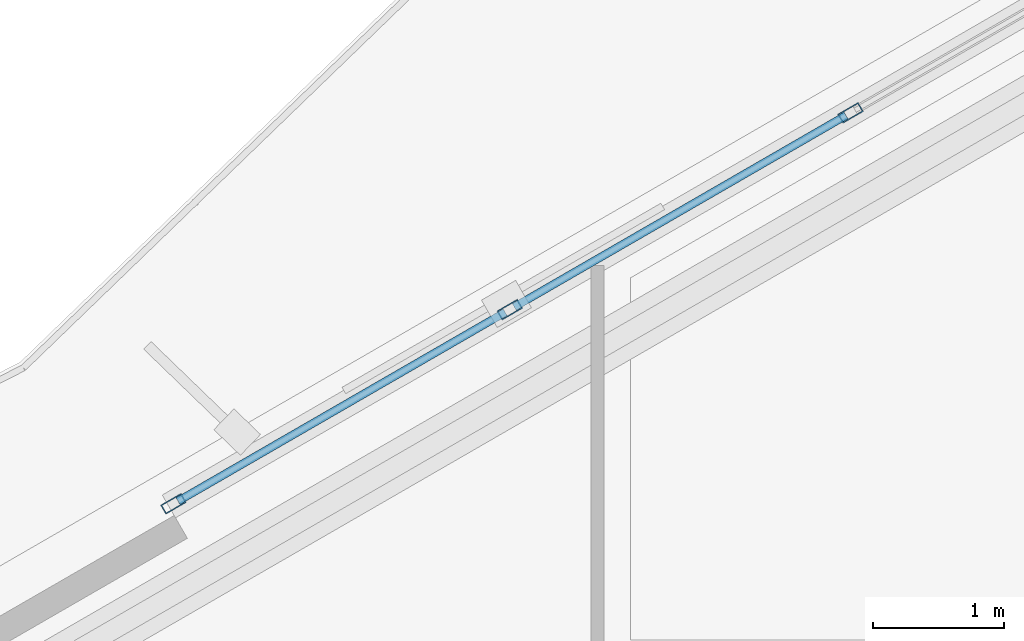
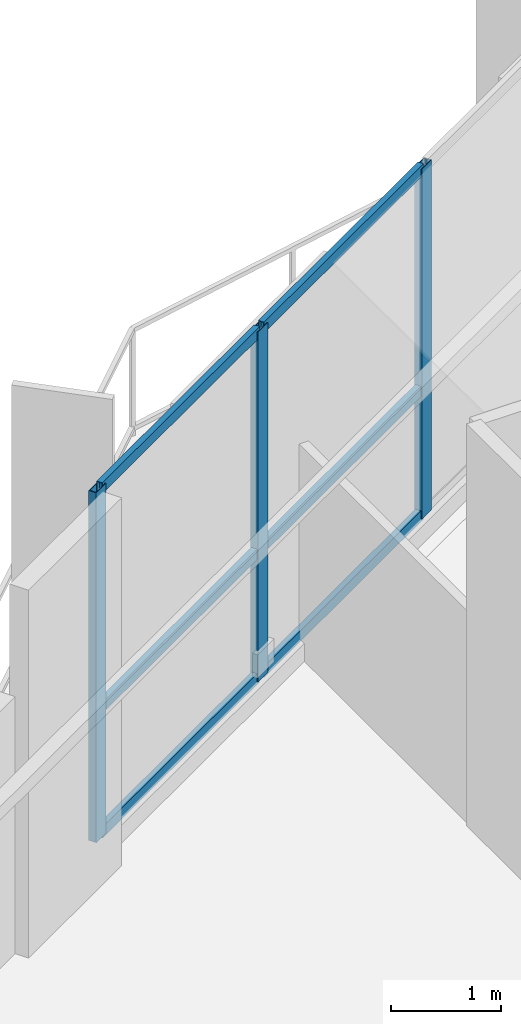
# One storey, part 7 of 16: 9 members, 1 element without a shape of its own.
"""IFC4 building model written with IfcOpenShell, lengths in metres."""

from ifc_helpers import new_model, si_unit, direction, frame, origin, origin_2d, place, context, subcontext, project, spatial, hollow_rectangle, extrude, material, layer, layer_set, material_profile, profile_set, type_object, element, aggregate, save


model = new_model("IFC4")

# Units and contexts
model_context = context("Model", 3, precision=1e-05, world=origin(), true_north=direction((0.0, 1.0)))
body_context = subcontext(model_context, "Body", "Model", "MODEL_VIEW")
ifc_project = project(units=[si_unit("LENGTHUNIT", "METRE"), si_unit("AREAUNIT", "SQUARE_METRE"), si_unit("VOLUMEUNIT", "CUBIC_METRE"), si_unit("PLANEANGLEUNIT", "RADIAN"), si_unit("MASSUNIT", "GRAM", prefix="KILO")], contexts=[model_context])

# Site, building, storey
site_placement = place(None, origin())
site = spatial("IfcSite", under=ifc_project, at=site_placement, CompositionType="ELEMENT")
building_placement = place(site_placement, origin())
building = spatial("IfcBuilding", under=site, at=building_placement, Name="Mersakhor Tower and Convention Hall", CompositionType="ELEMENT")
storey_placement = place(building_placement, frame((0.0, 0.0, 62.10009765625)))
storey = spatial("IfcBuildingStorey", under=building, at=storey_placement, Name="L17", CompositionType="ELEMENT", Elevation=62.10009765625)

# Curtain wall, members
ifc_material_1 = material(Name="Dark solar low-E aluminium curtain wall", Category="aluminium")
ifc_layer = layer(ifc_material_1, 0.199951171875)
ifc_layer_set = layer_set([ifc_layer], Name="Dark solar low-E aluminium curtain wall")
curtain_wall_type = type_object("IfcCurtainWallType", Name="CW-SYS-05", PredefinedType="USERDEFINED", material=ifc_layer_set)
curtain_wall_placement = place(storey_placement, origin())
curtain_wall = element("IfcCurtainWall", 1, at=curtain_wall_placement, inside=storey, type_object=curtain_wall_type, Name="L17 Dark-Glass Curtain Wall F1-B2", ObjectType="CURTAIN WALL", PredefinedType="USERDEFINED")
ifc_material_2 = material(Name="Anodised aluminium EN AW-6063 T6", Category="aluminium")
ifc_material_profile_1 = material_profile(ifc_material_2, hollow_rectangle(XDim=0.080078125, YDim=0.179931640625, WallThickness=0.008056640625, at=origin_2d()), Name="RHS 180x80x8")
ifc_profile_set_1 = profile_set([ifc_material_profile_1], Name="Anodised aluminium EN AW-6063 T6")
member_type_1 = type_object("IfcMemberType", Name="CWM-180x80", PredefinedType="MULLION", material=ifc_profile_set_1)
member_1_placement = place(storey_placement, frame((16.425048828125, 36.63720703125, 0.199951171875), z_axis=(0.0, 0.0, 1.0), x_axis=(-0.50000344889, 0.866023412558, 0.0)))
member_1 = element("IfcMember", 2, at=member_1_placement, type_object=member_type_1, Name="CW-05 mullion 1", PredefinedType="MULLION", context=body_context, shape_type="SweptSolid", body=[
    extrude(hollow_rectangle(XDim=0.080078125, YDim=0.179931640625, WallThickness=0.008056640625, at=origin_2d()), origin(), (0.0, 0.0, 1.0), 3.89990234375),
])
member_2_placement = place(storey_placement, frame((18.982666015625, 38.11376953125, 0.199951171875), z_axis=(0.0, 0.0, 1.0), x_axis=(-0.50000344889, 0.866023412558, 0.0)))
member_2 = element("IfcMember", 3, at=member_2_placement, type_object=member_type_1, Name="CW-05 mullion 2", PredefinedType="MULLION", context=body_context, shape_type="SweptSolid", body=[
    extrude(hollow_rectangle(XDim=0.080078125, YDim=0.179931640625, WallThickness=0.008056640625, at=origin_2d()), origin(), (0.0, 0.0, 1.0), 3.89990234375),
])
member_3_placement = place(storey_placement, frame((21.574951171875, 39.610595703125, 0.199951171875), z_axis=(0.0, 0.0, 1.0), x_axis=(-0.50000344889, 0.866023412558, 0.0)))
member_3 = element("IfcMember", 4, at=member_3_placement, type_object=member_type_1, Name="CW-05 mullion 3", PredefinedType="MULLION", context=body_context, shape_type="SweptSolid", body=[
    extrude(hollow_rectangle(XDim=0.080078125, YDim=0.179931640625, WallThickness=0.008056640625, at=origin_2d()), origin(), (0.0, 0.0, 1.0), 3.89990234375),
])
ifc_material_3 = material(Name="Anodised aluminium EN AW-6063 T6", Category="aluminium")
ifc_material_profile_2 = material_profile(ifc_material_3, hollow_rectangle(XDim=0.06005859375, YDim=0.1201171875, WallThickness=0.0048828125, at=origin_2d()), Name="RHS 120x60x5")
ifc_profile_set_2 = profile_set([ifc_material_profile_2], Name="Anodised aluminium EN AW-6063 T6")
member_type_2 = type_object("IfcMemberType", Name="CWT-120x60", PredefinedType="USERDEFINED", material=ifc_profile_set_2)
member_4_placement = place(storey_placement, frame((16.459716796875, 36.6572265625, 0.22998046875), z_axis=(0.866038426532, 0.499977443261, 0.0), x_axis=(-0.499977443261, 0.866038426532, 0.0)))
member_4 = element("IfcMember", 5, at=member_4_placement, type_object=member_type_2, Name="CW-05 transom 1.1", ObjectType="TRANSOM", PredefinedType="USERDEFINED", context=body_context, shape_type="SweptSolid", body=[
    extrude(hollow_rectangle(XDim=0.06005859375, YDim=0.1201171875, WallThickness=0.0048828125, at=origin_2d()), origin(), (0.0, 0.0, 1.0), 2.873291015625),
])
member_5_placement = place(storey_placement, frame((16.459716796875, 36.6572265625, 1.619873046875), z_axis=(0.866038426532, 0.499977443261, 0.0), x_axis=(-0.499977443261, 0.866038426532, 0.0)))
member_5 = element("IfcMember", 6, at=member_5_placement, type_object=member_type_2, Name="CW-05 transom 1.2", ObjectType="TRANSOM", PredefinedType="USERDEFINED", context=body_context, shape_type="SweptSolid", body=[
    extrude(hollow_rectangle(XDim=0.06005859375, YDim=0.1201171875, WallThickness=0.0048828125, at=origin_2d()), origin(), (0.0, 0.0, 1.0), 2.873291015625),
])
member_6_placement = place(storey_placement, frame((16.459716796875, 36.6572265625, 4.06982421875), z_axis=(0.866038426532, 0.499977443261, 0.0), x_axis=(-0.499977443261, 0.866038426532, 0.0)))
member_6 = element("IfcMember", 7, at=member_6_placement, type_object=member_type_2, Name="CW-05 transom 1.3", ObjectType="TRANSOM", PredefinedType="USERDEFINED", context=body_context, shape_type="SweptSolid", body=[
    extrude(hollow_rectangle(XDim=0.06005859375, YDim=0.1201171875, WallThickness=0.0048828125, at=origin_2d()), origin(), (0.0, 0.0, 1.0), 2.873291015625),
])
member_7_placement = place(storey_placement, frame((19.017333984375, 38.1337890625, 0.22998046875), z_axis=(0.866001369261, 0.500041626706, 0.0), x_axis=(-0.500041626706, 0.866001369261, 0.0)))
member_7 = element("IfcMember", 8, at=member_7_placement, type_object=member_type_2, Name="CW-05 transom 2.1", ObjectType="TRANSOM", PredefinedType="USERDEFINED", context=body_context, shape_type="SweptSolid", body=[
    extrude(hollow_rectangle(XDim=0.06005859375, YDim=0.1201171875, WallThickness=0.0048828125, at=origin_2d()), origin(), (0.0, 0.0, 1.0), 2.913330078125),
])
member_8_placement = place(storey_placement, frame((19.017333984375, 38.1337890625, 1.619873046875), z_axis=(0.866001369261, 0.500041626706, 0.0), x_axis=(-0.500041626706, 0.866001369261, 0.0)))
member_8 = element("IfcMember", 9, at=member_8_placement, type_object=member_type_2, Name="CW-05 transom 2.2", ObjectType="TRANSOM", PredefinedType="USERDEFINED", context=body_context, shape_type="SweptSolid", body=[
    extrude(hollow_rectangle(XDim=0.06005859375, YDim=0.1201171875, WallThickness=0.0048828125, at=origin_2d()), origin(), (0.0, 0.0, 1.0), 2.913330078125),
])
member_9_placement = place(storey_placement, frame((19.017333984375, 38.1337890625, 4.06982421875), z_axis=(0.866001369261, 0.500041626706, 0.0), x_axis=(-0.500041626706, 0.866001369261, 0.0)))
member_9 = element("IfcMember", 10, at=member_9_placement, type_object=member_type_2, Name="CW-05 transom 2.3", ObjectType="TRANSOM", PredefinedType="USERDEFINED", context=body_context, shape_type="SweptSolid", body=[
    extrude(hollow_rectangle(XDim=0.06005859375, YDim=0.1201171875, WallThickness=0.0048828125, at=origin_2d()), origin(), (0.0, 0.0, 1.0), 2.913330078125),
])
aggregate(curtain_wall, [member_1, member_2, member_3, member_4, member_5, member_6, member_7, member_8, member_9])

save(model, "model.ifc")
